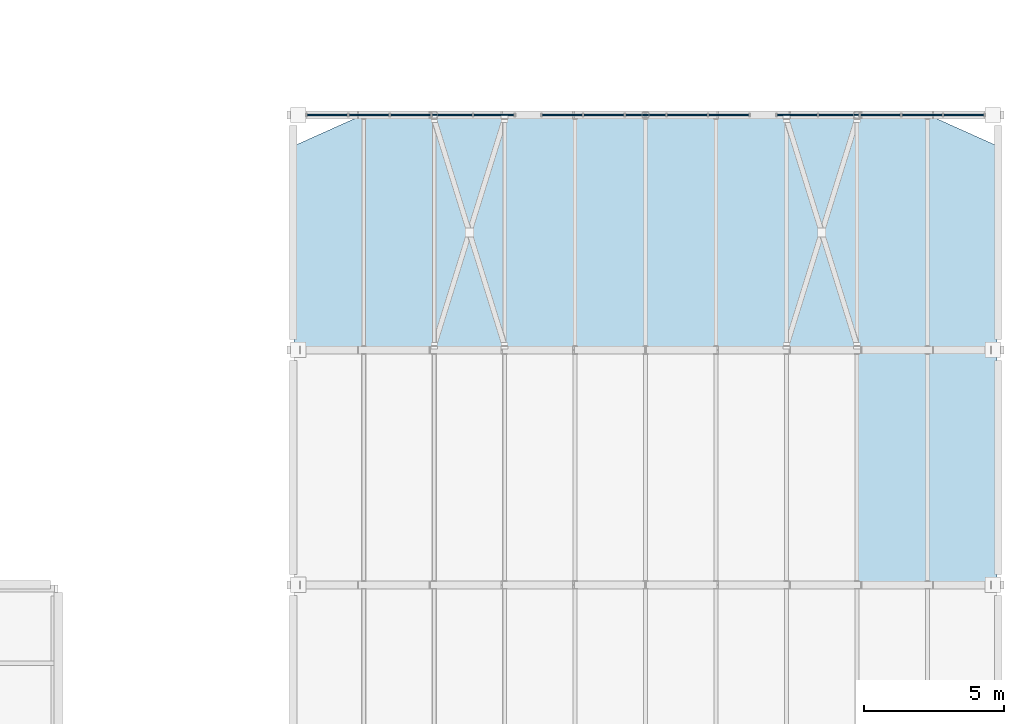
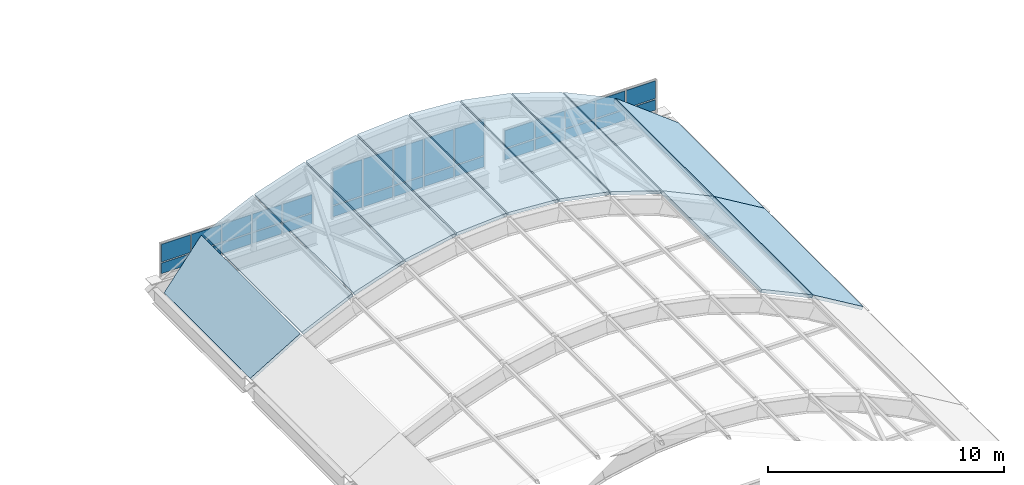
# One storey, part 81 of 107: 30 plates, 12 slabs, 4 elements without a shape of their own.
"""IFC4 building model written with IfcOpenShell, lengths in metres."""

from ifc_helpers import new_model, si_unit, direction, frame, origin, origin_2d, place, context, subcontext, project, spatial, polyline, rectangle, outline, extrude, material, layer, layer_set, type_object, element, aggregate, save


model = new_model("IFC4")

# Units and contexts
model_context = context("Model", 3, precision=1e-05, world=origin(), true_north=direction((0.0, 1.0)))
body_context = subcontext(model_context, "Body", "Model", "MODEL_VIEW")
ifc_project = project(units=[si_unit("LENGTHUNIT", "METRE"), si_unit("AREAUNIT", "SQUARE_METRE"), si_unit("VOLUMEUNIT", "CUBIC_METRE"), si_unit("PLANEANGLEUNIT", "RADIAN"), si_unit("MASSUNIT", "GRAM", prefix="KILO")], contexts=[model_context])

# Site, building, storey
site_placement = place(None, origin())
site = spatial("IfcSite", under=ifc_project, at=site_placement, CompositionType="ELEMENT")
building_placement = place(site_placement, origin())
building = spatial("IfcBuilding", under=site, at=building_placement, Name="Vireocrest Preparatory School", CompositionType="ELEMENT")
storey_placement = place(building_placement, frame((0.0, 0.0, 13.199951171875)))
storey = spatial("IfcBuildingStorey", under=building, at=storey_placement, Name="L03", CompositionType="ELEMENT", Elevation=13.199951171875)

# Roof, slabs
ifc_material_1 = material(Name="Structural steel ASTM A992 Grade 50", Category="steel")
ifc_layer_1 = layer(ifc_material_1, 0.159912109375)
ifc_layer_set_1 = layer_set([ifc_layer_1], Name="Structural steel ASTM A992 Grade 50")
roof_type = type_object("IfcRoofType", Name="Exposed Steel Barrel Vault Roof Assembly", PredefinedType="BARREL_ROOF", material=ifc_layer_set_1)
roof_placement = place(storey_placement, origin())
roof = element("IfcRoof", 1, at=roof_placement, inside=storey, type_object=roof_type, Name="Assembly Hall Barrel Vault Roof", PredefinedType="BARREL_ROOF")
ifc_material_2 = material(Name="Concrete 40 MPa", Category="concrete")
ifc_layer_2 = layer(ifc_material_2, 0.159912109375)
ifc_layer_set_2 = layer_set([ifc_layer_2], Name="Concrete 40 MPa")
slab_type = type_object("IfcSlabType", Name="Barrel Vault Insulated Composite Roof Deck 160", PredefinedType="ROOF", material=ifc_layer_set_2)
slab_1_placement = place(storey_placement, frame((162.9951171875, 35.39990234375, 2.603271484375), z_axis=(0.421252036967, 0.0, 0.90694361531), x_axis=(0.90694361531, 0.0, -0.421252036967)))
slab_1 = element("IfcSlab", 2, at=slab_1_placement, type_object=slab_type, Name="Assembly Hall Barrel Vault Roof Barrel Vault Roof Slab 3-9", PredefinedType="ROOF", context=body_context, shape_type="SweptSolid", body=[
    extrude(outline(polyline([(0.0, 0.0), (2.7013268857267367, 0.0), (2.7013268857267367, 8.400146484374998), (0.0, 8.400146484374998), (0.0, 0.0)])), origin(), (0.0, 0.0, -1.0), 0.159912109375),
])
slab_2_placement = place(storey_placement, frame((165.514892578125, 35.39990234375, 1.42822265625), z_axis=(0.512632510403, 0.0, 0.858608123231), x_axis=(0.858608123231, 0.0, -0.512632510403)))
slab_2 = element("IfcSlab", 3, at=slab_2_placement, type_object=slab_type, Name="Assembly Hall Barrel Vault Roof Barrel Vault Roof Slab 3-10", PredefinedType="ROOF", context=body_context, shape_type="SweptSolid", body=[
    extrude(outline(polyline([(0.0, 0.0), (2.8536828923532944, 0.0), (2.8536828923532944, 8.400146484375), (0.0, 8.400146484375), (0.0, 0.0)])), origin(), (0.0, 0.0, -1.0), 0.159912109375),
])
slab_3_placement = place(storey_placement, frame((142.8349609375, 43.800048828125, -0.03466796875), z_axis=(-0.512670168788, 0.0, 0.858585638149), x_axis=(0.858585638149, 0.0, 0.512670168788)))
slab_3 = element("IfcSlab", 4, at=slab_3_placement, type_object=slab_type, Name="Assembly Hall Barrel Vault Roof Barrel Vault Roof Slab 4-1", PredefinedType="ROOF", context=body_context, shape_type="SweptSolid", body=[
    extrude(outline(polyline([(0.0, 0.0), (2.853473273974119, 0.0), (2.853473273974119, 8.39990234375), (0.0, 7.300048828125), (0.0, 0.0)])), origin(), (0.0, 0.0, -1.0), 0.159912109375),
])
slab_4_placement = place(storey_placement, frame((145.35498046875, 43.800048828125, 1.46533203125), z_axis=(-0.421252036967, 0.0, 0.90694361531), x_axis=(0.90694361531, 0.0, 0.421252036967)))
slab_4 = element("IfcSlab", 5, at=slab_4_placement, type_object=slab_type, Name="Assembly Hall Barrel Vault Roof Barrel Vault Roof Slab 4-2", PredefinedType="ROOF", context=body_context, shape_type="SweptSolid", body=[
    extrude(outline(polyline([(0.0, 0.0), (2.7013268857267367, 0.0), (2.7013268857267367, 8.399902343749998), (0.0, 8.399902343749998), (0.0, 0.0)])), origin(), (0.0, 0.0, -1.0), 0.159912109375),
])
slab_5_placement = place(storey_placement, frame((147.875, 43.800048828125, 2.631103515625), z_axis=(-0.31486545079, 0.0, 0.949136316816), x_axis=(0.949136316816, 0.0, 0.31486545079)))
slab_5 = element("IfcSlab", 6, at=slab_5_placement, type_object=slab_type, Name="Assembly Hall Barrel Vault Roof Barrel Vault Roof Slab 4-3", PredefinedType="ROOF", context=body_context, shape_type="SweptSolid", body=[
    extrude(outline(polyline([(0.0, 0.0), (2.5812426818670025, 0.0), (2.5812426818670025, 8.39990234375), (0.0, 8.39990234375), (0.0, 0.0)])), origin(), (0.0, 0.0, -1.0), 0.159912109375),
])
slab_6_placement = place(storey_placement, frame((150.39501953125, 43.800048828125, 3.462646484375), z_axis=(-0.195176287901, 0.0, 0.980768176809), x_axis=(0.980768176809, 0.0, 0.195176287901)))
slab_6 = element("IfcSlab", 7, at=slab_6_placement, type_object=slab_type, Name="Assembly Hall Barrel Vault Roof Barrel Vault Roof Slab 4-4", PredefinedType="ROOF", context=body_context, shape_type="SweptSolid", body=[
    extrude(outline(polyline([(0.0, 0.0), (2.4979921145547572, 0.0), (2.4979921145547572, 8.39990234375), (0.0, 8.39990234375), (0.0, 0.0)])), origin(), (0.0, 0.0, -1.0), 0.159912109375),
])
slab_7_placement = place(storey_placement, frame((152.9150390625, 43.800048828125, 3.95947265625), z_axis=(-0.066222030045, 0.0, 0.997804912163), x_axis=(0.997804912163, 0.0, 0.066222030045)))
slab_7 = element("IfcSlab", 8, at=slab_7_placement, type_object=slab_type, Name="Assembly Hall Barrel Vault Roof Barrel Vault Roof Slab 4-5", PredefinedType="ROOF", context=body_context, shape_type="SweptSolid", body=[
    extrude(outline(polyline([(0.0, 0.0), (2.455340860733939, 0.0), (2.455340860733939, 8.39990234375), (0.0, 8.39990234375), (0.0, 0.0)])), origin(), (0.0, 0.0, -1.0), 0.159912109375),
])
slab_8_placement = place(storey_placement, frame((155.43505859375, 43.800048828125, 4.1220703125), z_axis=(0.066222030045, 0.0, 0.997804912163), x_axis=(0.997804912163, 0.0, -0.066222030045)))
slab_8 = element("IfcSlab", 9, at=slab_8_placement, type_object=slab_type, Name="Assembly Hall Barrel Vault Roof Barrel Vault Roof Slab 4-6", PredefinedType="ROOF", context=body_context, shape_type="SweptSolid", body=[
    extrude(outline(polyline([(0.0, 0.0), (2.455340860733939, 0.0), (2.455340860733939, 8.39990234375), (0.0, 8.39990234375), (0.0, 0.0)])), origin(), (0.0, 0.0, -1.0), 0.159912109375),
])
slab_9_placement = place(storey_placement, frame((157.955078125, 43.800048828125, 3.9501953125), z_axis=(0.195176287901, 0.0, 0.980768176809), x_axis=(0.980768176809, 0.0, -0.195176287901)))
slab_9 = element("IfcSlab", 10, at=slab_9_placement, type_object=slab_type, Name="Assembly Hall Barrel Vault Roof Barrel Vault Roof Slab 4-7", PredefinedType="ROOF", context=body_context, shape_type="SweptSolid", body=[
    extrude(outline(polyline([(0.0, 0.0), (2.4979921145547572, 0.0), (2.4979921145547572, 8.39990234375), (0.0, 8.39990234375), (0.0, 0.0)])), origin(), (0.0, 0.0, -1.0), 0.159912109375),
])
slab_10_placement = place(storey_placement, frame((160.47509765625, 43.800048828125, 3.44384765625), z_axis=(0.31486545079, 0.0, 0.949136316816), x_axis=(0.949136316816, 0.0, -0.31486545079)))
slab_10 = element("IfcSlab", 11, at=slab_10_placement, type_object=slab_type, Name="Assembly Hall Barrel Vault Roof Barrel Vault Roof Slab 4-8", PredefinedType="ROOF", context=body_context, shape_type="SweptSolid", body=[
    extrude(outline(polyline([(0.0, 0.0), (2.5812426818670025, 0.0), (2.5812426818670025, 8.39990234375), (0.0, 8.39990234375), (0.0, 0.0)])), origin(), (0.0, 0.0, -1.0), 0.159912109375),
])
slab_11_placement = place(storey_placement, frame((162.9951171875, 43.800048828125, 2.603271484375), z_axis=(0.421252036967, 0.0, 0.90694361531), x_axis=(0.90694361531, 0.0, -0.421252036967)))
slab_11 = element("IfcSlab", 12, at=slab_11_placement, type_object=slab_type, Name="Assembly Hall Barrel Vault Roof Barrel Vault Roof Slab 4-9", PredefinedType="ROOF", context=body_context, shape_type="SweptSolid", body=[
    extrude(outline(polyline([(0.0, 0.0), (2.7013268857267367, 0.0), (2.7013268857267367, 8.399902343749998), (0.0, 8.399902343749998), (0.0, 0.0)])), origin(), (0.0, 0.0, -1.0), 0.159912109375),
])
slab_12_placement = place(storey_placement, frame((165.514892578125, 43.800048828125, 1.42822265625), z_axis=(0.512632510403, 0.0, 0.858608123231), x_axis=(0.858608123231, 0.0, -0.512632510403)))
slab_12 = element("IfcSlab", 13, at=slab_12_placement, type_object=slab_type, Name="Assembly Hall Barrel Vault Roof Barrel Vault Roof Slab 4-10", PredefinedType="ROOF", context=body_context, shape_type="SweptSolid", body=[
    extrude(outline(polyline([(0.0, 0.0), (2.8536828923532944, 0.0), (2.8536828923532944, 7.300048828125002), (0.0, 8.399902343750002), (0.0, 0.0)])), origin(), (0.0, 0.0, -1.0), 0.159912109375),
])
aggregate(roof, [slab_1, slab_2, slab_3, slab_4, slab_5, slab_6, slab_7, slab_8, slab_9, slab_10, slab_11, slab_12])

# Curtain wall, plates
ifc_material_3 = material(Name="Thermally broken aluminium EN AW-6063-T6", Category="aluminium")
ifc_layer_3 = layer(ifc_material_3, 0.179931640625)
ifc_layer_set_3 = layer_set([ifc_layer_3], Name="Thermally broken aluminium EN AW-6063-T6")
curtain_wall_type_1 = type_object("IfcCurtainWallType", Name="Vault Gable Clerestory 8400x2600", PredefinedType="USERDEFINED", material=ifc_layer_set_3)
curtain_wall_1_placement = place(storey_placement, origin())
curtain_wall_1 = element("IfcCurtainWall", 14, at=curtain_wall_1_placement, inside=storey, type_object=curtain_wall_type_1, Name="Curtain Wall CW13 CW_L03_CW13_1432_0522_132", ObjectType="CURTAIN WALL", PredefinedType="USERDEFINED")
ifc_material_4 = material(Name="Insulated triple low-e tempered safety glass", Category="glass")
ifc_layer_4 = layer(ifc_material_4, 0.06005859375)
ifc_layer_set_4 = layer_set([ifc_layer_4], Name="Insulated triple low-e tempered safety glass")
plate_type = type_object("IfcPlateType", Name="Triple-Glazed Vision Curtain Panel 60", PredefinedType="CURTAIN_PANEL", material=ifc_layer_set_4)
plate_1_placement = place(storey_placement, frame((144.02392578125, 52.199951171875, 0.12744140625), z_axis=(0.0, 0.0, 1.0), x_axis=(1.0, 0.0, 0.0)))
plate_1 = element("IfcPlate", 15, at=plate_1_placement, type_object=plate_type, Name="CW Panel GL1 CW_L03_CW13_1432_0522_132-1-1", PredefinedType="CURTAIN_PANEL", context=body_context, shape_type="SweptSolid", body=[
    extrude(rectangle(XDim=1.423095703125, YDim=0.06005859375, at=origin_2d()), origin(), (0.0, 0.0, 1.0), 0.5400390625),
])
plate_2_placement = place(storey_placement, frame((144.02392578125, 52.199951171875, 0.732421875), z_axis=(0.0, 0.0, 1.0), x_axis=(1.0, 0.0, 0.0)))
plate_2 = element("IfcPlate", 16, at=plate_2_placement, type_object=plate_type, Name="CW Panel GL1 CW_L03_CW13_1432_0522_132-1-2", PredefinedType="CURTAIN_PANEL", context=body_context, shape_type="SweptSolid", body=[
    extrude(rectangle(XDim=1.423095703125, YDim=0.06005859375, at=origin_2d()), origin(), (0.0, 0.0, 1.0), 0.909912109375),
])
plate_3_placement = place(storey_placement, frame((145.511962890625, 52.199951171875, 0.12744140625), z_axis=(0.0, 0.0, 1.0), x_axis=(1.0, 0.0, 0.0)))
plate_3 = element("IfcPlate", 17, at=plate_3_placement, type_object=plate_type, Name="CW Panel GL1 CW_L03_CW13_1432_0522_132-2-1", PredefinedType="CURTAIN_PANEL", context=body_context, shape_type="SweptSolid", body=[
    extrude(rectangle(XDim=1.423095703125, YDim=0.06005859375, at=origin_2d()), origin(), (0.0, 0.0, 1.0), 0.5400390625),
])
plate_4_placement = place(storey_placement, frame((145.511962890625, 52.199951171875, 0.732421875), z_axis=(0.0, 0.0, 1.0), x_axis=(1.0, 0.0, 0.0)))
plate_4 = element("IfcPlate", 18, at=plate_4_placement, type_object=plate_type, Name="CW Panel GL1 CW_L03_CW13_1432_0522_132-2-2", PredefinedType="CURTAIN_PANEL", context=body_context, shape_type="SweptSolid", body=[
    extrude(rectangle(XDim=1.423095703125, YDim=0.06005859375, at=origin_2d()), origin(), (0.0, 0.0, 1.0), 0.909912109375),
])
plate_5_placement = place(storey_placement, frame((147.0, 52.199951171875, 0.12744140625), z_axis=(0.0, 0.0, 1.0), x_axis=(1.0, 0.0, 0.0)))
plate_5 = element("IfcPlate", 19, at=plate_5_placement, type_object=plate_type, Name="CW Panel GL1 CW_L03_CW13_1432_0522_132-3-1", PredefinedType="CURTAIN_PANEL", context=body_context, shape_type="SweptSolid", body=[
    extrude(rectangle(XDim=1.423095703125, YDim=0.06005859375, at=origin_2d()), origin(), (0.0, 0.0, 1.0), 0.5400390625),
])
plate_6_placement = place(storey_placement, frame((147.0, 52.199951171875, 0.732421875), z_axis=(0.0, 0.0, 1.0), x_axis=(1.0, 0.0, 0.0)))
plate_6 = element("IfcPlate", 20, at=plate_6_placement, type_object=plate_type, Name="CW Panel GL1 CW_L03_CW13_1432_0522_132-3-2", PredefinedType="CURTAIN_PANEL", context=body_context, shape_type="SweptSolid", body=[
    extrude(rectangle(XDim=1.423095703125, YDim=0.06005859375, at=origin_2d()), origin(), (0.0, 0.0, 1.0), 0.909912109375),
])
plate_7_placement = place(storey_placement, frame((148.488037109375, 52.199951171875, 0.12744140625), z_axis=(0.0, 0.0, 1.0), x_axis=(1.0, 0.0, 0.0)))
plate_7 = element("IfcPlate", 21, at=plate_7_placement, type_object=plate_type, Name="CW Panel GL1 CW_L03_CW13_1432_0522_132-4-1", PredefinedType="CURTAIN_PANEL", context=body_context, shape_type="SweptSolid", body=[
    extrude(rectangle(XDim=1.423095703125, YDim=0.06005859375, at=origin_2d()), origin(), (0.0, 0.0, 1.0), 0.5400390625),
])
plate_8_placement = place(storey_placement, frame((148.488037109375, 52.199951171875, 0.732421875), z_axis=(0.0, 0.0, 1.0), x_axis=(1.0, 0.0, 0.0)))
plate_8 = element("IfcPlate", 22, at=plate_8_placement, type_object=plate_type, Name="CW Panel GL1 CW_L03_CW13_1432_0522_132-4-2", PredefinedType="CURTAIN_PANEL", context=body_context, shape_type="SweptSolid", body=[
    extrude(rectangle(XDim=1.423095703125, YDim=0.06005859375, at=origin_2d()), origin(), (0.0, 0.0, 1.0), 0.909912109375),
])
plate_9_placement = place(storey_placement, frame((149.97607421875, 52.199951171875, 0.12744140625), z_axis=(0.0, 0.0, 1.0), x_axis=(1.0, 0.0, 0.0)))
plate_9 = element("IfcPlate", 23, at=plate_9_placement, type_object=plate_type, Name="CW Panel GL1 CW_L03_CW13_1432_0522_132-5-1", PredefinedType="CURTAIN_PANEL", context=body_context, shape_type="SweptSolid", body=[
    extrude(rectangle(XDim=1.423095703125, YDim=0.06005859375, at=origin_2d()), origin(), (0.0, 0.0, 1.0), 0.5400390625),
])
plate_10_placement = place(storey_placement, frame((149.97607421875, 52.199951171875, 0.732421875), z_axis=(0.0, 0.0, 1.0), x_axis=(1.0, 0.0, 0.0)))
plate_10 = element("IfcPlate", 24, at=plate_10_placement, type_object=plate_type, Name="CW Panel GL1 CW_L03_CW13_1432_0522_132-5-2", PredefinedType="CURTAIN_PANEL", context=body_context, shape_type="SweptSolid", body=[
    extrude(rectangle(XDim=1.423095703125, YDim=0.06005859375, at=origin_2d()), origin(), (0.0, 0.0, 1.0), 0.909912109375),
])
aggregate(curtain_wall_1, [plate_1, plate_2, plate_3, plate_4, plate_5, plate_6, plate_7, plate_8, plate_9, plate_10])

ifc_layer_5 = layer(ifc_material_3, 0.179931640625)
ifc_layer_set_5 = layer_set([ifc_layer_5], Name="Thermally broken aluminium EN AW-6063-T6")
curtain_wall_type_2 = type_object("IfcCurtainWallType", Name="Vault Centre Gable Clerestory 8400x3800", PredefinedType="USERDEFINED", material=ifc_layer_set_5)
curtain_wall_2_placement = place(storey_placement, origin())
curtain_wall_2 = element("IfcCurtainWall", 25, at=curtain_wall_2_placement, inside=storey, type_object=curtain_wall_type_2, Name="Curtain Wall CW14 CW_L03_CW14_1516_0522_132", ObjectType="CURTAIN WALL", PredefinedType="USERDEFINED")
plate_11_placement = place(storey_placement, frame((152.424072265625, 52.199951171875, 0.12744140625), z_axis=(0.0, 0.0, 1.0), x_axis=(1.0, 0.0, 0.0)))
plate_11 = element("IfcPlate", 26, at=plate_11_placement, type_object=plate_type, Name="CW Panel GL1 CW_L03_CW14_1516_0522_132-1-1", PredefinedType="CURTAIN_PANEL", context=body_context, shape_type="SweptSolid", body=[
    extrude(rectangle(XDim=1.423095703125, YDim=0.06005859375, at=origin_2d()), origin(), (0.0, 0.0, 1.0), 0.5400390625),
])
plate_12_placement = place(storey_placement, frame((152.424072265625, 52.199951171875, 0.732421875), z_axis=(0.0, 0.0, 1.0), x_axis=(1.0, 0.0, 0.0)))
plate_12 = element("IfcPlate", 27, at=plate_12_placement, type_object=plate_type, Name="CW Panel GL1 CW_L03_CW14_1516_0522_132-1-2", PredefinedType="CURTAIN_PANEL", context=body_context, shape_type="SweptSolid", body=[
    extrude(rectangle(XDim=1.423095703125, YDim=0.06005859375, at=origin_2d()), origin(), (0.0, 0.0, 1.0), 1.860107421875),
])
plate_13_placement = place(storey_placement, frame((153.912109375, 52.199951171875, 0.12744140625), z_axis=(0.0, 0.0, 1.0), x_axis=(1.0, 0.0, 0.0)))
plate_13 = element("IfcPlate", 28, at=plate_13_placement, type_object=plate_type, Name="CW Panel GL1 CW_L03_CW14_1516_0522_132-2-1", PredefinedType="CURTAIN_PANEL", context=body_context, shape_type="SweptSolid", body=[
    extrude(rectangle(XDim=1.423095703125, YDim=0.06005859375, at=origin_2d()), origin(), (0.0, 0.0, 1.0), 0.5400390625),
])
plate_14_placement = place(storey_placement, frame((153.912109375, 52.199951171875, 0.732421875), z_axis=(0.0, 0.0, 1.0), x_axis=(1.0, 0.0, 0.0)))
plate_14 = element("IfcPlate", 29, at=plate_14_placement, type_object=plate_type, Name="CW Panel GL1 CW_L03_CW14_1516_0522_132-2-2", PredefinedType="CURTAIN_PANEL", context=body_context, shape_type="SweptSolid", body=[
    extrude(rectangle(XDim=1.423095703125, YDim=0.06005859375, at=origin_2d()), origin(), (0.0, 0.0, 1.0), 1.860107421875),
])
plate_15_placement = place(storey_placement, frame((155.39990234375, 52.199951171875, 0.12744140625), z_axis=(0.0, 0.0, 1.0), x_axis=(1.0, 0.0, 0.0)))
plate_15 = element("IfcPlate", 30, at=plate_15_placement, type_object=plate_type, Name="CW Panel GL1 CW_L03_CW14_1516_0522_132-3-1", PredefinedType="CURTAIN_PANEL", context=body_context, shape_type="SweptSolid", body=[
    extrude(rectangle(XDim=1.423095703125, YDim=0.06005859375, at=origin_2d()), origin(), (0.0, 0.0, 1.0), 0.5400390625),
])
plate_16_placement = place(storey_placement, frame((155.39990234375, 52.199951171875, 0.732421875), z_axis=(0.0, 0.0, 1.0), x_axis=(1.0, 0.0, 0.0)))
plate_16 = element("IfcPlate", 31, at=plate_16_placement, type_object=plate_type, Name="CW Panel GL1 CW_L03_CW14_1516_0522_132-3-2", PredefinedType="CURTAIN_PANEL", context=body_context, shape_type="SweptSolid", body=[
    extrude(rectangle(XDim=1.423095703125, YDim=0.06005859375, at=origin_2d()), origin(), (0.0, 0.0, 1.0), 1.860107421875),
])
plate_17_placement = place(storey_placement, frame((156.887939453125, 52.199951171875, 0.12744140625), z_axis=(0.0, 0.0, 1.0), x_axis=(1.0, 0.0, 0.0)))
plate_17 = element("IfcPlate", 32, at=plate_17_placement, type_object=plate_type, Name="CW Panel GL1 CW_L03_CW14_1516_0522_132-4-1", PredefinedType="CURTAIN_PANEL", context=body_context, shape_type="SweptSolid", body=[
    extrude(rectangle(XDim=1.423095703125, YDim=0.06005859375, at=origin_2d()), origin(), (0.0, 0.0, 1.0), 0.5400390625),
])
plate_18_placement = place(storey_placement, frame((156.887939453125, 52.199951171875, 0.732421875), z_axis=(0.0, 0.0, 1.0), x_axis=(1.0, 0.0, 0.0)))
plate_18 = element("IfcPlate", 33, at=plate_18_placement, type_object=plate_type, Name="CW Panel GL1 CW_L03_CW14_1516_0522_132-4-2", PredefinedType="CURTAIN_PANEL", context=body_context, shape_type="SweptSolid", body=[
    extrude(rectangle(XDim=1.423095703125, YDim=0.06005859375, at=origin_2d()), origin(), (0.0, 0.0, 1.0), 1.860107421875),
])
plate_19_placement = place(storey_placement, frame((158.3759765625, 52.199951171875, 0.12744140625), z_axis=(0.0, 0.0, 1.0), x_axis=(1.0, 0.0, 0.0)))
plate_19 = element("IfcPlate", 34, at=plate_19_placement, type_object=plate_type, Name="CW Panel GL1 CW_L03_CW14_1516_0522_132-5-1", PredefinedType="CURTAIN_PANEL", context=body_context, shape_type="SweptSolid", body=[
    extrude(rectangle(XDim=1.423095703125, YDim=0.06005859375, at=origin_2d()), origin(), (0.0, 0.0, 1.0), 0.5400390625),
])
plate_20_placement = place(storey_placement, frame((158.3759765625, 52.199951171875, 0.732421875), z_axis=(0.0, 0.0, 1.0), x_axis=(1.0, 0.0, 0.0)))
plate_20 = element("IfcPlate", 35, at=plate_20_placement, type_object=plate_type, Name="CW Panel GL1 CW_L03_CW14_1516_0522_132-5-2", PredefinedType="CURTAIN_PANEL", context=body_context, shape_type="SweptSolid", body=[
    extrude(rectangle(XDim=1.423095703125, YDim=0.06005859375, at=origin_2d()), origin(), (0.0, 0.0, 1.0), 1.860107421875),
])
aggregate(curtain_wall_2, [plate_11, plate_12, plate_13, plate_14, plate_15, plate_16, plate_17, plate_18, plate_19, plate_20])

curtain_wall_3_placement = place(storey_placement, origin())
curtain_wall_3 = element("IfcCurtainWall", 36, at=curtain_wall_3_placement, inside=storey, type_object=curtain_wall_type_1, Name="Curtain Wall CW13 CW_L03_CW13_1600_0522_132", ObjectType="CURTAIN WALL", PredefinedType="USERDEFINED")
plate_21_placement = place(storey_placement, frame((160.823974609375, 52.199951171875, 0.12744140625), z_axis=(0.0, 0.0, 1.0), x_axis=(1.0, 0.0, 0.0)))
plate_21 = element("IfcPlate", 37, at=plate_21_placement, type_object=plate_type, Name="CW Panel GL1 CW_L03_CW13_1600_0522_132-1-1", PredefinedType="CURTAIN_PANEL", context=body_context, shape_type="SweptSolid", body=[
    extrude(rectangle(XDim=1.423095703125, YDim=0.06005859375, at=origin_2d()), origin(), (0.0, 0.0, 1.0), 0.5400390625),
])
plate_22_placement = place(storey_placement, frame((160.823974609375, 52.199951171875, 0.732421875), z_axis=(0.0, 0.0, 1.0), x_axis=(1.0, 0.0, 0.0)))
plate_22 = element("IfcPlate", 38, at=plate_22_placement, type_object=plate_type, Name="CW Panel GL1 CW_L03_CW13_1600_0522_132-1-2", PredefinedType="CURTAIN_PANEL", context=body_context, shape_type="SweptSolid", body=[
    extrude(rectangle(XDim=1.423095703125, YDim=0.06005859375, at=origin_2d()), origin(), (0.0, 0.0, 1.0), 0.909912109375),
])
plate_23_placement = place(storey_placement, frame((162.31201171875, 52.199951171875, 0.12744140625), z_axis=(0.0, 0.0, 1.0), x_axis=(1.0, 0.0, 0.0)))
plate_23 = element("IfcPlate", 39, at=plate_23_placement, type_object=plate_type, Name="CW Panel GL1 CW_L03_CW13_1600_0522_132-2-1", PredefinedType="CURTAIN_PANEL", context=body_context, shape_type="SweptSolid", body=[
    extrude(rectangle(XDim=1.423095703125, YDim=0.06005859375, at=origin_2d()), origin(), (0.0, 0.0, 1.0), 0.5400390625),
])
plate_24_placement = place(storey_placement, frame((162.31201171875, 52.199951171875, 0.732421875), z_axis=(0.0, 0.0, 1.0), x_axis=(1.0, 0.0, 0.0)))
plate_24 = element("IfcPlate", 40, at=plate_24_placement, type_object=plate_type, Name="CW Panel GL1 CW_L03_CW13_1600_0522_132-2-2", PredefinedType="CURTAIN_PANEL", context=body_context, shape_type="SweptSolid", body=[
    extrude(rectangle(XDim=1.423095703125, YDim=0.06005859375, at=origin_2d()), origin(), (0.0, 0.0, 1.0), 0.909912109375),
])
plate_25_placement = place(storey_placement, frame((163.800048828125, 52.199951171875, 0.12744140625), z_axis=(0.0, 0.0, 1.0), x_axis=(1.0, 0.0, 0.0)))
plate_25 = element("IfcPlate", 41, at=plate_25_placement, type_object=plate_type, Name="CW Panel GL1 CW_L03_CW13_1600_0522_132-3-1", PredefinedType="CURTAIN_PANEL", context=body_context, shape_type="SweptSolid", body=[
    extrude(rectangle(XDim=1.423095703125, YDim=0.06005859375, at=origin_2d()), origin(), (0.0, 0.0, 1.0), 0.5400390625),
])
plate_26_placement = place(storey_placement, frame((163.800048828125, 52.199951171875, 0.732421875), z_axis=(0.0, 0.0, 1.0), x_axis=(1.0, 0.0, 0.0)))
plate_26 = element("IfcPlate", 42, at=plate_26_placement, type_object=plate_type, Name="CW Panel GL1 CW_L03_CW13_1600_0522_132-3-2", PredefinedType="CURTAIN_PANEL", context=body_context, shape_type="SweptSolid", body=[
    extrude(rectangle(XDim=1.423095703125, YDim=0.06005859375, at=origin_2d()), origin(), (0.0, 0.0, 1.0), 0.909912109375),
])
plate_27_placement = place(storey_placement, frame((165.2880859375, 52.199951171875, 0.12744140625), z_axis=(0.0, 0.0, 1.0), x_axis=(1.0, 0.0, 0.0)))
plate_27 = element("IfcPlate", 43, at=plate_27_placement, type_object=plate_type, Name="CW Panel GL1 CW_L03_CW13_1600_0522_132-4-1", PredefinedType="CURTAIN_PANEL", context=body_context, shape_type="SweptSolid", body=[
    extrude(rectangle(XDim=1.423095703125, YDim=0.06005859375, at=origin_2d()), origin(), (0.0, 0.0, 1.0), 0.5400390625),
])
plate_28_placement = place(storey_placement, frame((165.2880859375, 52.199951171875, 0.732421875), z_axis=(0.0, 0.0, 1.0), x_axis=(1.0, 0.0, 0.0)))
plate_28 = element("IfcPlate", 44, at=plate_28_placement, type_object=plate_type, Name="CW Panel GL1 CW_L03_CW13_1600_0522_132-4-2", PredefinedType="CURTAIN_PANEL", context=body_context, shape_type="SweptSolid", body=[
    extrude(rectangle(XDim=1.423095703125, YDim=0.06005859375, at=origin_2d()), origin(), (0.0, 0.0, 1.0), 0.909912109375),
])
plate_29_placement = place(storey_placement, frame((166.77587890625, 52.199951171875, 0.12744140625), z_axis=(0.0, 0.0, 1.0), x_axis=(1.0, 0.0, 0.0)))
plate_29 = element("IfcPlate", 45, at=plate_29_placement, type_object=plate_type, Name="CW Panel GL1 CW_L03_CW13_1600_0522_132-5-1", PredefinedType="CURTAIN_PANEL", context=body_context, shape_type="SweptSolid", body=[
    extrude(rectangle(XDim=1.423095703125, YDim=0.06005859375, at=origin_2d()), origin(), (0.0, 0.0, 1.0), 0.5400390625),
])
plate_30_placement = place(storey_placement, frame((166.77587890625, 52.199951171875, 0.732421875), z_axis=(0.0, 0.0, 1.0), x_axis=(1.0, 0.0, 0.0)))
plate_30 = element("IfcPlate", 46, at=plate_30_placement, type_object=plate_type, Name="CW Panel GL1 CW_L03_CW13_1600_0522_132-5-2", PredefinedType="CURTAIN_PANEL", context=body_context, shape_type="SweptSolid", body=[
    extrude(rectangle(XDim=1.423095703125, YDim=0.06005859375, at=origin_2d()), origin(), (0.0, 0.0, 1.0), 0.909912109375),
])
aggregate(curtain_wall_3, [plate_21, plate_22, plate_23, plate_24, plate_25, plate_26, plate_27, plate_28, plate_29, plate_30])

save(model, "model.ifc")
